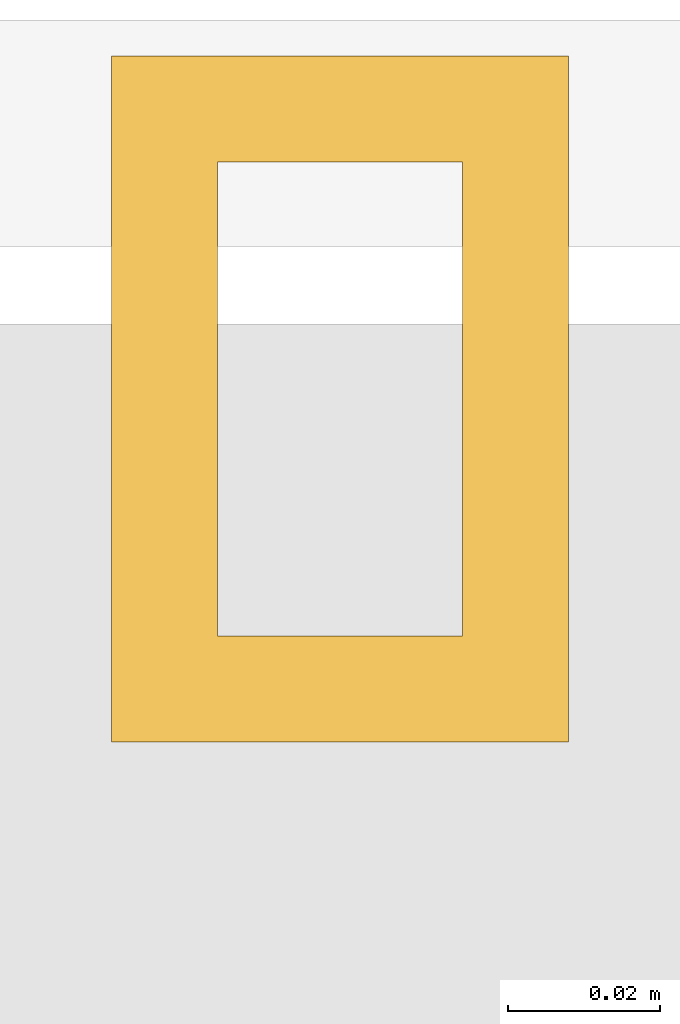
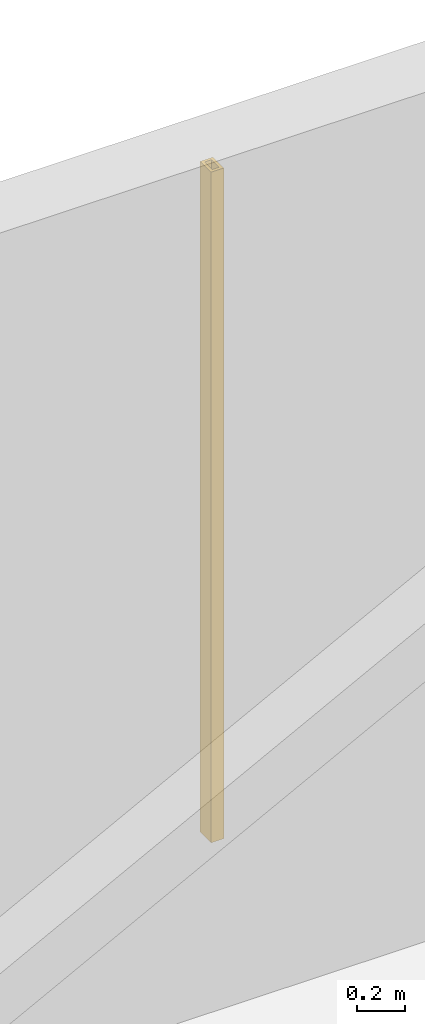
# One storey, part 33 of 33: 1 shading device.
"""IFC4 building model written with IfcOpenShell, lengths in metres."""

from ifc_helpers import new_model, si_unit, direction, frame, origin, origin_2d, place, context, subcontext, project, spatial, hollow_rectangle, extrude, material, material_profile, profile_set, type_object, element, save


model = new_model("IFC4")

# Units and contexts
model_context = context("Model", 3, precision=1e-05, world=origin(), true_north=direction((0.0, 1.0)))
body_context = subcontext(model_context, "Body", "Model", "MODEL_VIEW")
ifc_project = project(units=[si_unit("LENGTHUNIT", "METRE"), si_unit("AREAUNIT", "SQUARE_METRE"), si_unit("VOLUMEUNIT", "CUBIC_METRE"), si_unit("PLANEANGLEUNIT", "RADIAN"), si_unit("MASSUNIT", "GRAM", prefix="KILO")], contexts=[model_context])

# Site, building, storey
site_placement = place(None, origin())
site = spatial("IfcSite", under=ifc_project, at=site_placement, CompositionType="ELEMENT")
building_placement = place(site_placement, origin())
building = spatial("IfcBuilding", under=site, at=building_placement, Name="Punatoya Terracotta Tower", CompositionType="ELEMENT")
storey_placement = place(building_placement, frame((0.0, 0.0, 343.800048828125)))
storey = spatial("IfcBuildingStorey", under=building, at=storey_placement, Name="L81", CompositionType="ELEMENT", Elevation=343.800048828125)

# Shading device
ifc_material = material(Name="Architectural Fired Terracotta", Category="masonry")
ifc_material_profile = material_profile(ifc_material, hollow_rectangle(XDim=0.06005859375, YDim=0.090087890625, WallThickness=0.013916015625, at=origin_2d()))
ifc_profile_set = profile_set([ifc_material_profile], Name="Architectural Fired Terracotta")
shading_device_type = type_object("IfcShadingDeviceType", Name="SHD-JALI-90", PredefinedType="JALOUSIE", material=ifc_profile_set)
shading_device_placement = place(storey_placement, frame((0.0, 18.60009765625, 0.599853515625), z_axis=(0.0, 0.0, 1.0), x_axis=(1.0, 0.0, 0.0)))
element("IfcShadingDevice", 1, at=shading_device_placement, inside=storey, type_object=shading_device_type, Name="L81 Braced Bay Terracotta Jali Fin N1", PredefinedType="JALOUSIE", context=body_context, shape_type="SweptSolid", body=[
    extrude(hollow_rectangle(XDim=0.06005859375, YDim=0.090087890625, WallThickness=0.013916015625, at=origin_2d()), origin(), (0.0, 0.0, 1.0), 3.380126953125),
])

save(model, "model.ifc")
